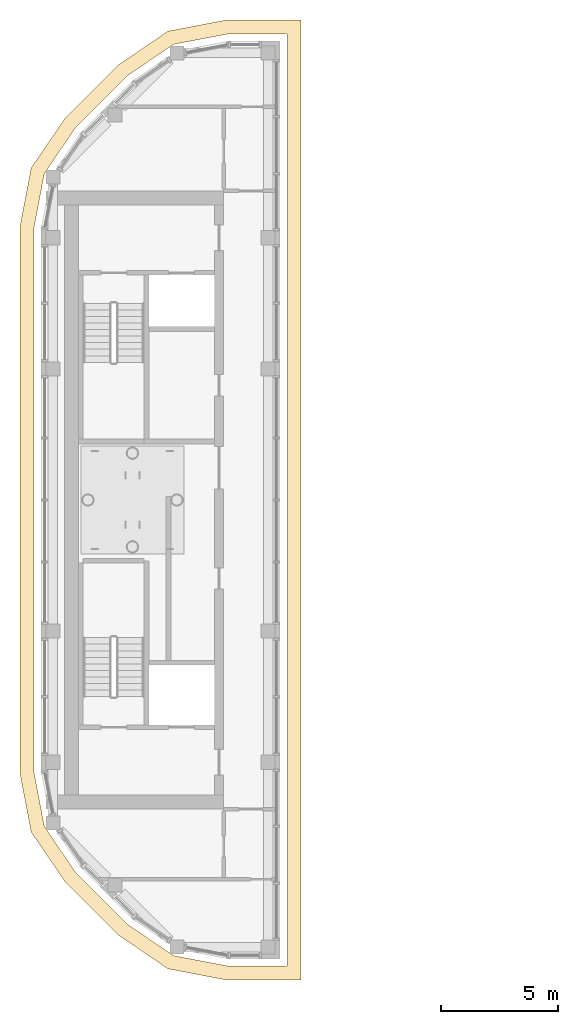
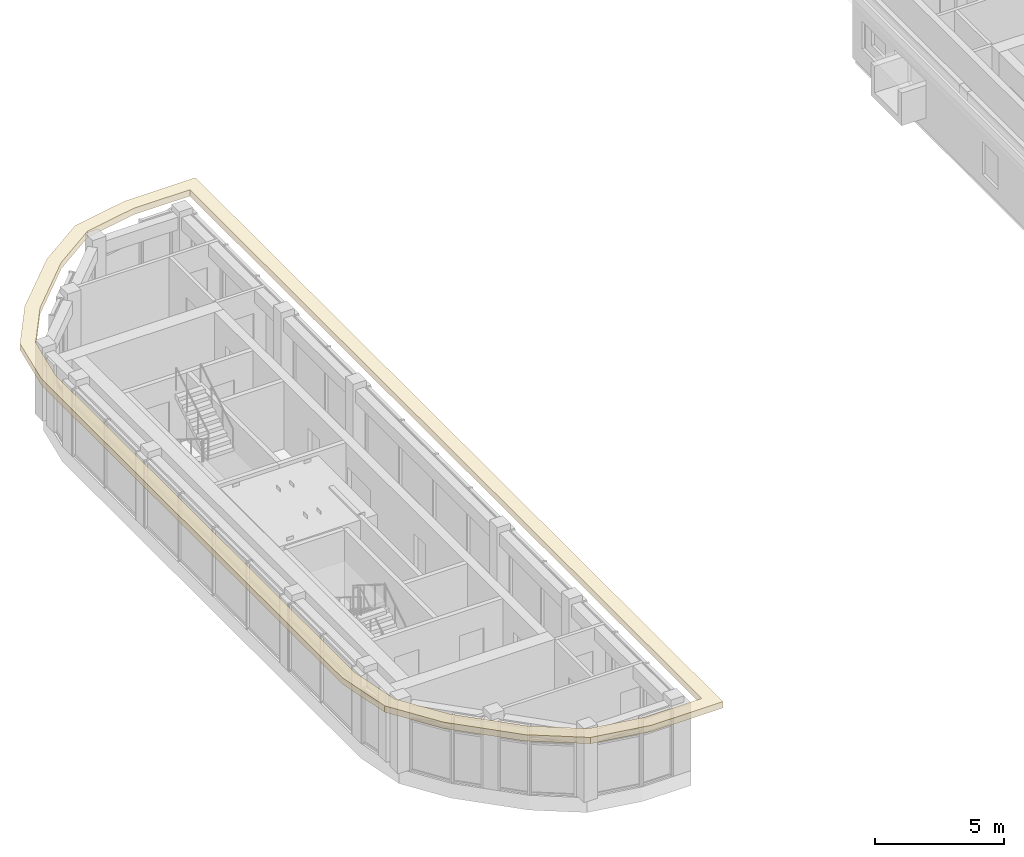
# One storey, part 14 of 16: 1 covering.
"""IFC4 building model written with IfcOpenShell, lengths in metres."""

from ifc_helpers import new_model, si_unit, direction, frame, origin, place, context, subcontext, project, spatial, polyline, outline, extrude, material, layer, layer_set, type_object, element, save


model = new_model("IFC4")

# Units and contexts
model_context = context("Model", 3, precision=1e-05, world=origin(), true_north=direction((0.0, 1.0)))
body_context = subcontext(model_context, "Body", "Model", "MODEL_VIEW")
ifc_project = project(units=[si_unit("LENGTHUNIT", "METRE"), si_unit("AREAUNIT", "SQUARE_METRE"), si_unit("VOLUMEUNIT", "CUBIC_METRE"), si_unit("PLANEANGLEUNIT", "RADIAN"), si_unit("MASSUNIT", "GRAM", prefix="KILO")], contexts=[model_context])

# Site, building, storey
site_placement = place(None, origin())
site = spatial("IfcSite", under=ifc_project, at=site_placement, CompositionType="ELEMENT")
building_placement = place(site_placement, origin())
building = spatial("IfcBuilding", under=site, at=building_placement, Name="Kiln Ring Residences", CompositionType="ELEMENT")
storey_placement = place(building_placement, frame((0.0, 0.0, 313.89990234375)))
storey = spatial("IfcBuildingStorey", under=building, at=storey_placement, Name="L81 Crown", CompositionType="ELEMENT", Elevation=313.89990234375)

# Covering
ifc_material = material(Name="Black powder-coated steel", Category="steel")
ifc_layer = layer(ifc_material, 0.300048828125)
ifc_layer_set = layer_set([ifc_layer], Name="SUNSHADE FIN 600")
covering_type = type_object("IfcCoveringType", Name="SUNSHADE FIN 600", PredefinedType="CLADDING", material=ifc_layer_set)
covering_placement = place(storey_placement, frame((0.0, 0.0, 3.2001953125)))
element("IfcCovering", 1, at=covering_placement, inside=storey, type_object=covering_type, Name="SUNSHADE FIN L81 Crown", PredefinedType="CLADDING", context=body_context, shape_type="SweptSolid", body=[
    extrude(outline(polyline([(-24.199462890625, -16.273193359375), (-21.873291015625, -18.599609375), (-19.77587890625, -20.02490234375), (-17.28515625, -20.5), (-14.10009765625, -20.5), (-14.10009765625, 20.5), (-17.28515625, 20.5), (-19.77587890625, 20.02490234375), (-21.873291015625, 18.599609375), (-24.199462890625, 16.273193359375), (-25.625, 14.176025390625), (-26.10009765625, 11.68505859375), (-26.10009765625, -11.68505859375), (-25.625, -14.176025390625), (-24.199462890625, -16.273193359375)]), holes=[polyline([(-19.54150390625, -19.458740234375), (-21.489013671875, -18.135009765625), (-23.735107421875, -15.88916015625), (-25.058837890625, -13.94140625), (-25.5, -11.62841796875), (-25.5, 11.62841796875), (-25.058837890625, 13.94140625), (-23.735107421875, 15.88916015625), (-21.489013671875, 18.135009765625), (-19.54150390625, 19.458740234375), (-17.228515625, 19.89990234375), (-14.699951171875, 19.89990234375), (-14.699951171875, -19.89990234375), (-17.228515625, -19.89990234375), (-19.54150390625, -19.458740234375)])]), origin(), (0.0, 0.0, 1.0), 0.2998046875),
])

save(model, "model.ifc")
